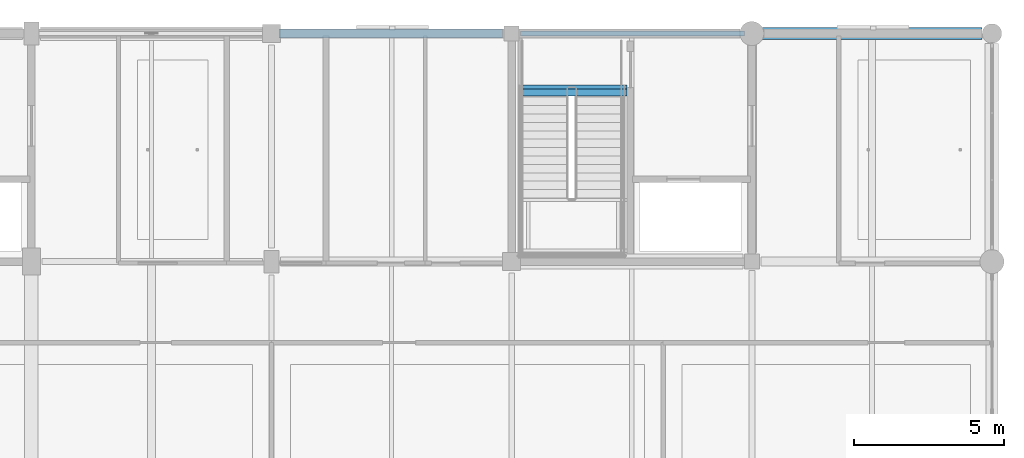
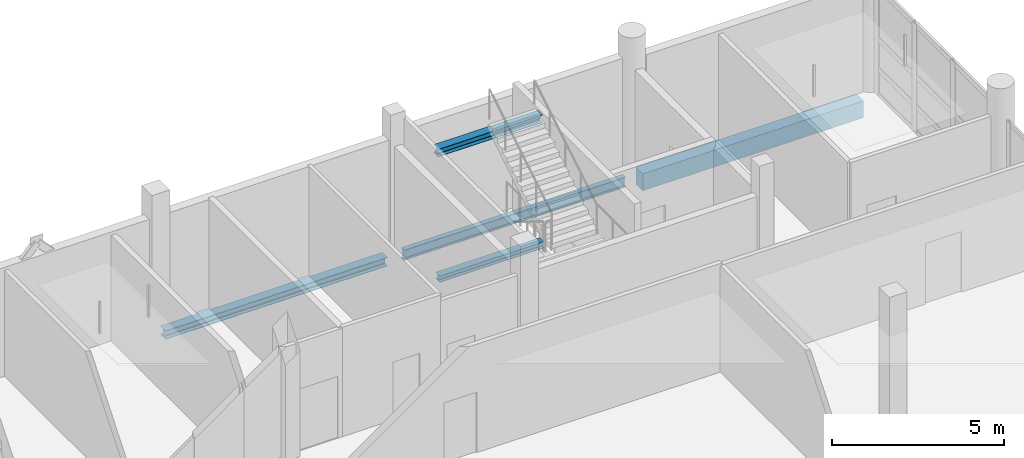
# One storey, part 56 of 107: 5 beams.
"""IFC4 building model written with IfcOpenShell, lengths in metres."""

from ifc_helpers import new_model, si_unit, direction, frame, origin, origin_2d, place, context, subcontext, project, spatial, rectangle, i_section, extrude, material, material_profile, profile_set, type_object, element, save


model = new_model("IFC4")

# Units and contexts
model_context = context("Model", 3, precision=1e-05, world=origin(), true_north=direction((0.0, 1.0)))
body_context = subcontext(model_context, "Body", "Model", "MODEL_VIEW")
ifc_project = project(units=[si_unit("LENGTHUNIT", "METRE"), si_unit("AREAUNIT", "SQUARE_METRE"), si_unit("VOLUMEUNIT", "CUBIC_METRE"), si_unit("PLANEANGLEUNIT", "RADIAN"), si_unit("MASSUNIT", "GRAM", prefix="KILO")], contexts=[model_context])

# Site, building, storey
site_placement = place(None, origin())
site = spatial("IfcSite", under=ifc_project, at=site_placement, CompositionType="ELEMENT")
building_placement = place(site_placement, origin())
building = spatial("IfcBuilding", under=site, at=building_placement, Name="Khelvaren Railside Concert Hall", CompositionType="ELEMENT")
storey_placement = place(building_placement, frame((0.0, 0.0, 15.0)))
storey = spatial("IfcBuildingStorey", under=building, at=storey_placement, Name="L03", CompositionType="ELEMENT", Elevation=15.0)

# Beams
ifc_material_1 = material(Name="Steel S355", Category="steel")
ifc_material_profile_1 = material_profile(ifc_material_1, i_section(OverallWidth=0.239990234375, OverallDepth=0.22998046875, WebThickness=0.007568359375, FlangeThickness=0.011962890625, FilletRadius=0.02099609375, at=origin_2d()), Name="HEA 240")
ifc_profile_set_1 = profile_set([ifc_material_profile_1], Name="Steel S355")
beam_type_1 = type_object("IfcBeamType", Name="BM42", PredefinedType="BEAM", material=ifc_profile_set_1)
beam_1_placement = place(storey_placement, frame((168.344970703125, 112.039306640625, -0.114990234375), z_axis=(1.0, 0.0, 0.0), x_axis=(0.0, 1.0, 0.0)))
element("IfcBeam", 1, at=beam_1_placement, inside=storey, type_object=beam_type_1, Name="ST-10 L03 Stair Foot Trimmer Beam", PredefinedType="BEAM", context=body_context, shape_type="SweptSolid", body=[
    extrude(i_section(OverallWidth=0.239990234375, OverallDepth=0.22998046875, WebThickness=0.007568359375, FlangeThickness=0.011962890625, FilletRadius=0.02099609375, at=origin_2d()), origin(), (0.0, 0.0, 1.0), 3.4951171875),
])
ifc_material_profile_2 = material_profile(ifc_material_1, i_section(OverallWidth=0.280029296875, OverallDepth=0.27001953125, WebThickness=0.008056640625, FlangeThickness=0.012939453125, FilletRadius=0.02392578125, at=origin_2d()), Name="HEA 280")
ifc_profile_set_2 = profile_set([ifc_material_profile_2], Name="Steel S355")
beam_type_2 = type_object("IfcBeamType", Name="BM93", PredefinedType="BEAM", material=ifc_profile_set_2)
beam_2_placement = place(storey_placement, frame((168.344970703125, 112.139892578125, 4.317626953125), z_axis=(1.0, 0.0, 0.0), x_axis=(0.0, 1.0, 0.0)))
element("IfcBeam", 2, at=beam_2_placement, inside=storey, type_object=beam_type_2, Name="ST-10 L03 Stair Top Arrival Trimmer Beam", PredefinedType="BEAM", context=body_context, shape_type="SweptSolid", body=[
    extrude(i_section(OverallWidth=0.280029296875, OverallDepth=0.27001953125, WebThickness=0.008056640625, FlangeThickness=0.012939453125, FilletRadius=0.02392578125, at=origin_2d()), origin(), (0.0, 0.0, 1.0), 3.4951171875),
])
ifc_material_profile_3 = material_profile(ifc_material_1, i_section(OverallWidth=0.300048828125, OverallDepth=0.31005859375, WebThickness=0.009033203125, FlangeThickness=0.015380859375, FilletRadius=0.027099609375, at=origin_2d()), Name="HEA 320")
ifc_profile_set_3 = profile_set([ifc_material_profile_3], Name="Steel S355")
beam_type_3 = type_object("IfcBeamType", Name="SP66", PredefinedType="SPANDREL", material=ifc_profile_set_3)
beam_3_placement = place(storey_placement, frame((160.25, 114.0, -0.43505859375), z_axis=(1.0, 0.0, 0.0), x_axis=(0.0, 1.0, 0.0)))
element("IfcBeam", 3, at=beam_3_placement, inside=storey, type_object=beam_type_3, Name="V5 L03 Spandrel X5.5", PredefinedType="SPANDREL", context=body_context, shape_type="SweptSolid", body=[
    extrude(i_section(OverallWidth=0.300048828125, OverallDepth=0.31005859375, WebThickness=0.009033203125, FlangeThickness=0.015380859375, FilletRadius=0.027099609375, at=origin_2d()), origin(), (0.0, 0.0, 1.0), 7.449951171875),
])
ifc_material_profile_4 = material_profile(ifc_material_1, i_section(OverallWidth=0.169921875, OverallDepth=0.360107421875, WebThickness=0.008056640625, FlangeThickness=0.0126953125, FilletRadius=0.01806640625, at=origin_2d()), Name="IPE 360")
ifc_profile_set_4 = profile_set([ifc_material_profile_4], Name="Steel S355")
beam_type_4 = type_object("IfcBeamType", Name="SP74", PredefinedType="SPANDREL", material=ifc_profile_set_4)
beam_4_placement = place(storey_placement, frame((168.300048828125, 114.0, -0.4599609375), z_axis=(1.0, 0.0, 0.0), x_axis=(0.0, 1.0, 0.0)))
element("IfcBeam", 4, at=beam_4_placement, inside=storey, type_object=beam_type_4, Name="V5 L03 Spandrel X5.6", PredefinedType="SPANDREL", context=body_context, shape_type="SweptSolid", body=[
    extrude(i_section(OverallWidth=0.169921875, OverallDepth=0.360107421875, WebThickness=0.008056640625, FlangeThickness=0.0126953125, FilletRadius=0.01806640625, at=origin_2d()), origin(), (0.0, 0.0, 1.0), 7.449951171875),
])
ifc_material_2 = material(Name="Concrete C40/50", Category="concrete")
ifc_material_profile_5 = material_profile(ifc_material_2, rectangle(XDim=0.39990234375, YDim=0.60009765625, at=origin_2d()), Name="RCB 400x600")
ifc_profile_set_5 = profile_set([ifc_material_profile_5], Name="Concrete C40/50")
beam_type_5 = type_object("IfcBeamType", Name="SP75", PredefinedType="SPANDREL", material=ifc_profile_set_5)
beam_5_placement = place(storey_placement, frame((176.25, 114.0, -0.580078125), z_axis=(1.0, 0.0, 0.0), x_axis=(0.0, 1.0, 0.0)))
element("IfcBeam", 5, at=beam_5_placement, inside=storey, type_object=beam_type_5, Name="V5 L03 Spandrel X5.7", PredefinedType="SPANDREL", context=body_context, shape_type="SweptSolid", body=[
    extrude(rectangle(XDim=0.39990234375, YDim=0.60009765625, at=origin_2d()), origin(), (0.0, 0.0, 1.0), 7.4140625),
])

save(model, "model.ifc")
